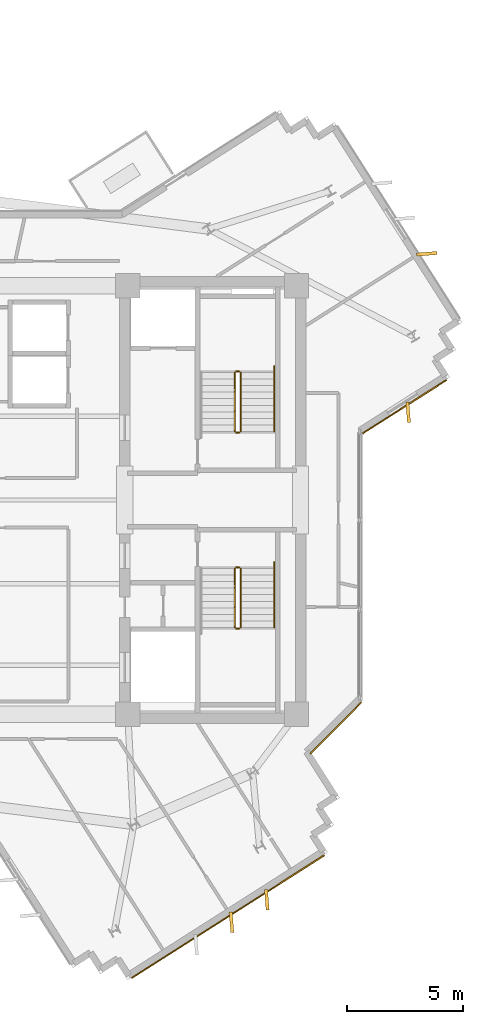
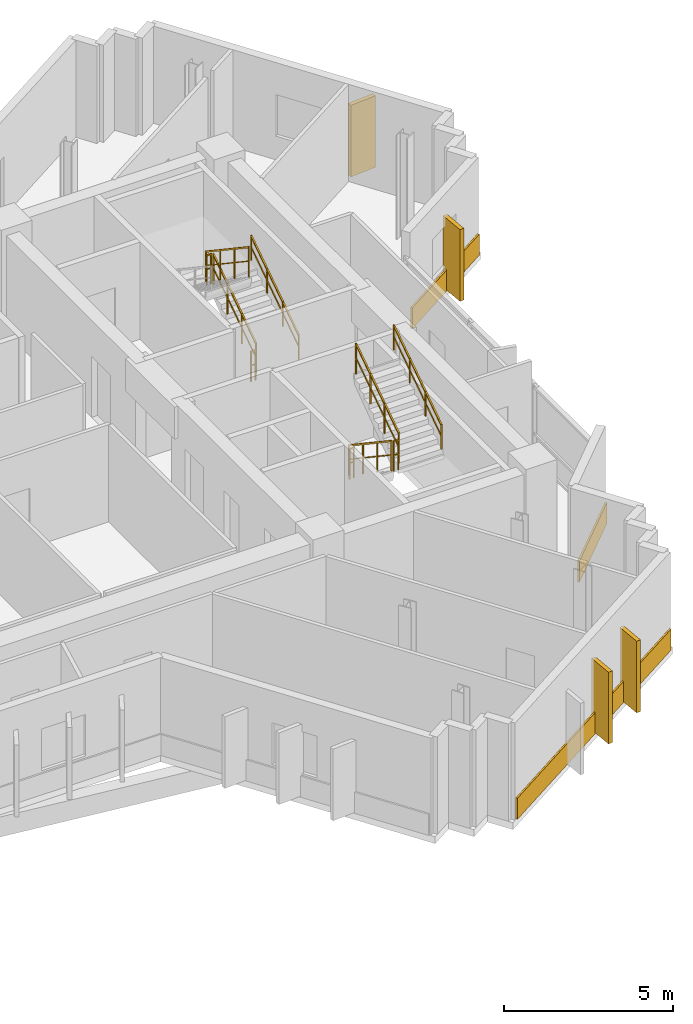
# One storey, part 11 of 12: 10 railings, 7 coverings.
"""IFC4 building model written with IfcOpenShell, lengths in metres."""

from ifc_helpers import new_model, si_unit, direction, frame, origin, origin_2d, place, context, subcontext, project, spatial, rectangle, extrude, source, transform, mapped, material, layer, layer_set, type_object, element, save


model = new_model("IFC4")

# Units and contexts
model_context = context("Model", 3, precision=1e-05, world=origin(), true_north=direction((0.0, 1.0)))
body_context = subcontext(model_context, "Body", "Model", "MODEL_VIEW")
ifc_project = project(units=[si_unit("LENGTHUNIT", "METRE"), si_unit("AREAUNIT", "SQUARE_METRE"), si_unit("VOLUMEUNIT", "CUBIC_METRE"), si_unit("PLANEANGLEUNIT", "RADIAN"), si_unit("MASSUNIT", "GRAM", prefix="KILO")], contexts=[model_context])

# Site, building, storey
site_placement = place(None, origin())
site = spatial("IfcSite", under=ifc_project, at=site_placement, CompositionType="ELEMENT")
building_placement = place(site_placement, origin())
building = spatial("IfcBuilding", under=site, at=building_placement, Name="Zahravan Cultural Tower", CompositionType="ELEMENT")
storey_placement = place(building_placement, frame((0.0, 0.0, 269.10009765625)))
storey = spatial("IfcBuildingStorey", under=building, at=storey_placement, Name="L64", CompositionType="ELEMENT", Elevation=269.10009765625)

# Railings
ifc_material_1 = material(Name="Steel ASTM A572 Grade 50", Category="steel")
railing_type_1 = type_object("IfcRailingType", Name="RL-STAIR-GRD1150", PredefinedType="BALUSTRADE", material=ifc_material_1)
railing_1_placement = place(storey_placement, frame((47.949951171875, 29.949951171875, 0.1875)))
element("IfcRailing", 1, at=railing_1_placement, inside=storey, type_object=railing_type_1, Name="L64 ST-E1 stair guard 1", PredefinedType="BALUSTRADE", context=body_context, shape_type="SweptSolid", body=[
    extrude(rectangle(XDim=0.05, YDim=0.05, at=origin_2d()), frame((0.0, 0.0, 1.0751953125), z_axis=(0.0, 0.830909170722, 0.55640807867), x_axis=(-1.0, 0.0, 0.0)), (0.0, 0.0, 1.0), 3.032958984375),
    extrude(rectangle(XDim=0.032, YDim=0.032, at=origin_2d()), frame((0.0, 0.0, 0.572021484375), z_axis=(0.0, 0.830909170722, 0.55640807867), x_axis=(-1.0, 0.0, 0.0)), (0.0, 0.0, 1.0), 3.032958984375),
    extrude(rectangle(XDim=0.04, YDim=0.04, at=origin_2d()), origin(), (0.0, 0.0, 1.0), 1.10009765625),
    extrude(rectangle(XDim=0.04, YDim=0.04, at=origin_2d()), frame((0.0, 0.840087890625, 0.5625)), (0.0, 0.0, 1.0), 1.10009765625),
    extrude(rectangle(XDim=0.04, YDim=0.04, at=origin_2d()), frame((0.0, 1.679931640625, 1.125)), (0.0, 0.0, 1.0), 1.10009765625),
    extrude(rectangle(XDim=0.04, YDim=0.04, at=origin_2d()), frame((0.0, 2.52001953125, 1.6875)), (0.0, 0.0, 1.0), 1.10009765625),
])
railing_2_placement = place(storey_placement, frame((47.89990234375, 32.52001953125, 1.875)))
element("IfcRailing", 2, at=railing_2_placement, inside=storey, type_object=railing_type_1, Name="L64 ST-E1 stair guard 2", PredefinedType="BALUSTRADE", context=body_context, shape_type="SweptSolid", body=[
    extrude(rectangle(XDim=0.05, YDim=0.05, at=origin_2d()), frame((0.0, 0.0, 1.0751953125), z_axis=(-1.0, 0.0, 0.0), x_axis=(0.0, -1.0, 0.0)), (0.0, 0.0, 1.0), 0.14990234375),
    extrude(rectangle(XDim=0.032, YDim=0.032, at=origin_2d()), frame((0.0, 0.0, 0.572021484375), z_axis=(-1.0, 0.0, 0.0), x_axis=(0.0, -1.0, 0.0)), (0.0, 0.0, 1.0), 0.14990234375),
    extrude(rectangle(XDim=0.04, YDim=0.04, at=origin_2d()), origin(), (0.0, 0.0, 1.0), 1.10009765625),
    extrude(rectangle(XDim=0.04, YDim=0.04, at=origin_2d()), frame((-0.14990234375, 0.0, 0.0)), (0.0, 0.0, 1.0), 1.10009765625),
])
railing_3_placement = place(storey_placement, frame((47.699951171875, 32.469970703125, 2.0625)))
element("IfcRailing", 3, at=railing_3_placement, inside=storey, type_object=railing_type_1, Name="L64 ST-E1 stair guard 3", PredefinedType="BALUSTRADE", context=body_context, shape_type="SweptSolid", body=[
    extrude(rectangle(XDim=0.05, YDim=0.05, at=origin_2d()), frame((0.0, 0.0, 1.0751953125), z_axis=(0.0, -0.830909170722, 0.55640807867), x_axis=(1.0, 0.0, 0.0)), (0.0, 0.0, 1.0), 3.032958984375),
    extrude(rectangle(XDim=0.032, YDim=0.032, at=origin_2d()), frame((0.0, 0.0, 0.572021484375), z_axis=(0.0, -0.830909170722, 0.55640807867), x_axis=(1.0, 0.0, 0.0)), (0.0, 0.0, 1.0), 3.032958984375),
    extrude(rectangle(XDim=0.04, YDim=0.04, at=origin_2d()), origin(), (0.0, 0.0, 1.0), 1.10009765625),
    extrude(rectangle(XDim=0.04, YDim=0.04, at=origin_2d()), frame((0.0, -0.840087890625, 0.5625)), (0.0, 0.0, 1.0), 1.10009765625),
    extrude(rectangle(XDim=0.04, YDim=0.04, at=origin_2d()), frame((0.0, -1.679931640625, 1.125)), (0.0, 0.0, 1.0), 1.10009765625),
    extrude(rectangle(XDim=0.04, YDim=0.04, at=origin_2d()), frame((0.0, -2.52001953125, 1.6875)), (0.0, 0.0, 1.0), 1.10009765625),
])
railing_4_placement = place(storey_placement, frame((47.89990234375, 29.89990234375, 0.0)))
element("IfcRailing", 4, at=railing_4_placement, inside=storey, type_object=railing_type_1, Name="L64 ST-E1 stair guard 4", PredefinedType="BALUSTRADE", context=body_context, shape_type="SweptSolid", body=[
    extrude(rectangle(XDim=0.05, YDim=0.05, at=origin_2d()), frame((0.0, 0.0, 1.0751953125), z_axis=(-1.0, 0.0, 0.0), x_axis=(0.0, -1.0, 0.0)), (0.0, 0.0, 1.0), 0.14990234375),
    extrude(rectangle(XDim=0.032, YDim=0.032, at=origin_2d()), frame((0.0, 0.0, 0.572021484375), z_axis=(-1.0, 0.0, 0.0), x_axis=(0.0, -1.0, 0.0)), (0.0, 0.0, 1.0), 0.14990234375),
    extrude(rectangle(XDim=0.04, YDim=0.04, at=origin_2d()), origin(), (0.0, 0.0, 1.0), 1.10009765625),
    extrude(rectangle(XDim=0.04, YDim=0.04, at=origin_2d()), frame((-0.14990234375, 0.0, 0.0)), (0.0, 0.0, 1.0), 1.10009765625),
])
railing_5_placement = place(storey_placement, frame((47.699951171875, 24.050048828125, 0.1875)))
element("IfcRailing", 5, at=railing_5_placement, inside=storey, type_object=railing_type_1, Name="L64 ST-E2 stair guard 1", PredefinedType="BALUSTRADE", context=body_context, shape_type="SweptSolid", body=[
    extrude(rectangle(XDim=0.05, YDim=0.05, at=origin_2d()), frame((0.0, 0.0, 1.0751953125), z_axis=(0.0, -0.830909170722, 0.55640807867), x_axis=(1.0, 0.0, 0.0)), (0.0, 0.0, 1.0), 3.032958984375),
    extrude(rectangle(XDim=0.032, YDim=0.032, at=origin_2d()), frame((0.0, 0.0, 0.572021484375), z_axis=(0.0, -0.830909170722, 0.55640807867), x_axis=(1.0, 0.0, 0.0)), (0.0, 0.0, 1.0), 3.032958984375),
    extrude(rectangle(XDim=0.04, YDim=0.04, at=origin_2d()), origin(), (0.0, 0.0, 1.0), 1.10009765625),
    extrude(rectangle(XDim=0.04, YDim=0.04, at=origin_2d()), frame((0.0, -0.840087890625, 0.5625)), (0.0, 0.0, 1.0), 1.10009765625),
    extrude(rectangle(XDim=0.04, YDim=0.04, at=origin_2d()), frame((0.0, -1.679931640625, 1.125)), (0.0, 0.0, 1.0), 1.10009765625),
    extrude(rectangle(XDim=0.04, YDim=0.04, at=origin_2d()), frame((0.0, -2.52001953125, 1.6875)), (0.0, 0.0, 1.0), 1.10009765625),
])
railing_6_placement = place(storey_placement, frame((47.75, 21.47998046875, 1.875)))
element("IfcRailing", 6, at=railing_6_placement, inside=storey, type_object=railing_type_1, Name="L64 ST-E2 stair guard 2", PredefinedType="BALUSTRADE", context=body_context, shape_type="SweptSolid", body=[
    extrude(rectangle(XDim=0.05, YDim=0.05, at=origin_2d()), frame((0.0, 0.0, 1.0751953125), z_axis=(1.0, 0.0, 0.0), x_axis=(0.0, 1.0, 0.0)), (0.0, 0.0, 1.0), 0.14990234375),
    extrude(rectangle(XDim=0.032, YDim=0.032, at=origin_2d()), frame((0.0, 0.0, 0.572021484375), z_axis=(1.0, 0.0, 0.0), x_axis=(0.0, 1.0, 0.0)), (0.0, 0.0, 1.0), 0.14990234375),
    extrude(rectangle(XDim=0.04, YDim=0.04, at=origin_2d()), origin(), (0.0, 0.0, 1.0), 1.10009765625),
    extrude(rectangle(XDim=0.04, YDim=0.04, at=origin_2d()), frame((0.14990234375, 0.0, 0.0)), (0.0, 0.0, 1.0), 1.10009765625),
])
railing_7_placement = place(storey_placement, frame((47.949951171875, 21.530029296875, 2.0625)))
element("IfcRailing", 7, at=railing_7_placement, inside=storey, type_object=railing_type_1, Name="L64 ST-E2 stair guard 3", PredefinedType="BALUSTRADE", context=body_context, shape_type="SweptSolid", body=[
    extrude(rectangle(XDim=0.05, YDim=0.05, at=origin_2d()), frame((0.0, 0.0, 1.0751953125), z_axis=(0.0, 0.830909170722, 0.55640807867), x_axis=(-1.0, 0.0, 0.0)), (0.0, 0.0, 1.0), 3.032958984375),
    extrude(rectangle(XDim=0.032, YDim=0.032, at=origin_2d()), frame((0.0, 0.0, 0.572021484375), z_axis=(0.0, 0.830909170722, 0.55640807867), x_axis=(-1.0, 0.0, 0.0)), (0.0, 0.0, 1.0), 3.032958984375),
    extrude(rectangle(XDim=0.04, YDim=0.04, at=origin_2d()), origin(), (0.0, 0.0, 1.0), 1.10009765625),
    extrude(rectangle(XDim=0.04, YDim=0.04, at=origin_2d()), frame((0.0, 0.840087890625, 0.5625)), (0.0, 0.0, 1.0), 1.10009765625),
    extrude(rectangle(XDim=0.04, YDim=0.04, at=origin_2d()), frame((0.0, 1.679931640625, 1.125)), (0.0, 0.0, 1.0), 1.10009765625),
    extrude(rectangle(XDim=0.04, YDim=0.04, at=origin_2d()), frame((0.0, 2.52001953125, 1.6875)), (0.0, 0.0, 1.0), 1.10009765625),
])
railing_8_placement = place(storey_placement, frame((47.75, 24.10009765625, 0.0)))
element("IfcRailing", 8, at=railing_8_placement, inside=storey, type_object=railing_type_1, Name="L64 ST-E2 stair guard 4", PredefinedType="BALUSTRADE", context=body_context, shape_type="SweptSolid", body=[
    extrude(rectangle(XDim=0.05, YDim=0.05, at=origin_2d()), frame((0.0, 0.0, 1.0751953125), z_axis=(1.0, 0.0, 0.0), x_axis=(0.0, 1.0, 0.0)), (0.0, 0.0, 1.0), 0.14990234375),
    extrude(rectangle(XDim=0.032, YDim=0.032, at=origin_2d()), frame((0.0, 0.0, 0.572021484375), z_axis=(1.0, 0.0, 0.0), x_axis=(0.0, 1.0, 0.0)), (0.0, 0.0, 1.0), 0.14990234375),
    extrude(rectangle(XDim=0.04, YDim=0.04, at=origin_2d()), origin(), (0.0, 0.0, 1.0), 1.10009765625),
    extrude(rectangle(XDim=0.04, YDim=0.04, at=origin_2d()), frame((0.14990234375, 0.0, 0.0)), (0.0, 0.0, 1.0), 1.10009765625),
])
railing_type_2 = type_object("IfcRailingType", Name="RL-STAIR-HR900", PredefinedType="HANDRAIL", material=ifc_material_1)
for number, where, name in (
    (9, (49.39990234375, 29.949951171875, 0.1875), "L64 ST-E1 stair handrail 1"),
    (10, (49.39990234375, 21.530029296875, 2.0625), "L64 ST-E2 stair handrail 2"),
):
    element("IfcRailing", number, at=place(storey_placement, frame(where)), inside=storey, type_object=railing_type_2, Name=name, PredefinedType="HANDRAIL", context=body_context, shape_type="SweptSolid", body=[
        extrude(rectangle(XDim=0.05, YDim=0.05, at=origin_2d()), frame((0.0, 0.0, 0.875), z_axis=(0.0, 0.830911662861, 0.55640435703), x_axis=(-1.0, 0.0, 0.0)), (0.0, 0.0, 1.0), 3.369873046875),
        extrude(rectangle(XDim=0.032, YDim=0.032, at=origin_2d()), frame((0.0, 0.0, 0.468017578125), z_axis=(0.0, 0.830911662861, 0.55640435703), x_axis=(-1.0, 0.0, 0.0)), (0.0, 0.0, 1.0), 3.369873046875),
        extrude(rectangle(XDim=0.04, YDim=0.04, at=origin_2d()), origin(), (0.0, 0.0, 1.0), 0.89990234375),
        extrude(rectangle(XDim=0.04, YDim=0.04, at=origin_2d()), frame((0.0, 0.933349609375, 0.625)), (0.0, 0.0, 1.0), 0.89990234375),
        extrude(rectangle(XDim=0.04, YDim=0.04, at=origin_2d()), frame((0.0, 1.86669921875, 1.25)), (0.0, 0.0, 1.0), 0.89990234375),
        extrude(rectangle(XDim=0.04, YDim=0.04, at=origin_2d()), frame((0.0, 2.800048828125, 1.875)), (0.0, 0.0, 1.0), 0.89990234375),
    ])

# Coverings
ifc_material_2 = material(Name="Terracotta ceramic cladding", Category="masonry")
ifc_layer = layer(ifc_material_2, 0.06005859375)
ifc_layer_set = layer_set([ifc_layer], Name="Terracotta ceramic cladding")
covering_type = type_object("IfcCoveringType", Name="COV-CLAD-TC60", PredefinedType="CLADDING", material=ifc_layer_set)
shared_shape_1 = source(origin(), body_context, "Body", "SweptSolid", [
    extrude(rectangle(XDim=9.81982421875, YDim=0.06005859375, at=origin_2d()), origin(), (0.0, 0.0, 1.0), 0.760009765625),
])
covering_1_placement = place(storey_placement, frame((47.404296875, 9.09912109375, 0.02001953125), z_axis=(0.0, 0.0, 1.0), x_axis=(-0.843391445813, -0.537299608347, 0.0)))
element("IfcCovering", 11, at=covering_1_placement, inside=storey, type_object=covering_type, Name="L64 Terracotta Spandrel Cladding 18", PredefinedType="CLADDING", context=body_context, shape_type="MappedRepresentation", body=[
    mapped(shared_shape_1, transform((0.0, 0.0, 0.0), x_axis=(1.0, 0.0, 0.0), y_axis=(0.0, 1.0, 0.0), z_axis=(0.0, 0.0, 1.0), scale=1.0)),
])
shared_shape_2 = source(origin(), body_context, "Body", "SweptSolid", [
    extrude(rectangle(XDim=0.8798828125, YDim=0.139892578125, at=origin_2d()), origin(), (0.0, 0.0, 1.0), 2.580078125),
])
for number, where, z_axis, x_axis, name in (
    (12, (55.951904296875, 37.576416015625, 0.0498046875), (0.0, 0.0, 1.0), (0.996917333733, 0.078459095728, 0.0), "L64 Herringbone Terracotta Fin 03"),
    (13, (55.146728515625, 30.767578125, 0.0498046875), (0.0, 0.0, 1.0), (0.078476495206, -0.996915964212, 0.0), "L64 Herringbone Terracotta Fin 04"),
    (14, (49.075439453125, 9.82568359375, 0.0498046875), (0.0, 0.0, 1.0), (0.078459095728, -0.996917333733, 0.0), "L64 Herringbone Terracotta Fin 05"),
    (15, (47.557373046875, 8.858642578125, 0.0498046875), (0.0, 0.0, 1.0), (0.078459095728, -0.996917333733, 0.0), "L64 Herringbone Terracotta Fin 06"),
):
    element("IfcCovering", number, at=place(storey_placement, frame(where, z_axis=z_axis, x_axis=x_axis)), inside=storey, type_object=covering_type, Name=name, PredefinedType="CLADDING", context=body_context, shape_type="MappedRepresentation", body=[
        mapped(shared_shape_2, transform((0.0, 0.0, 0.0), x_axis=(1.0, 0.0, 0.0), y_axis=(0.0, 1.0, 0.0), z_axis=(0.0, 0.0, 1.0), scale=1.0)),
    ])
shared_shape_3 = source(origin(), body_context, "Body", "SweptSolid", [
    extrude(rectangle(XDim=4.275146484375, YDim=0.06005859375, at=origin_2d()), origin(), (0.0, 0.0, 1.0), 0.760009765625),
])
covering_2_placement = place(storey_placement, frame((54.99365234375, 31.0078125, 0.02001953125), z_axis=(0.0, 0.0, 1.0), x_axis=(-0.843382068037, -0.537314328223, 0.0)))
element("IfcCovering", 16, at=covering_2_placement, inside=storey, type_object=covering_type, Name="L64 Terracotta Spandrel Cladding 11", PredefinedType="CLADDING", context=body_context, shape_type="MappedRepresentation", body=[
    mapped(shared_shape_3, transform((0.0, 0.0, 0.0), x_axis=(1.0, 0.0, 0.0), y_axis=(0.0, 1.0, 0.0), z_axis=(0.0, 0.0, 1.0), scale=1.0)),
])
shared_shape_4 = source(origin(), body_context, "Body", "SweptSolid", [
    extrude(rectangle(XDim=3.114990234375, YDim=0.06005859375, at=origin_2d()), origin(), (0.0, 0.0, 1.0), 0.760009765625),
])
covering_3_placement = place(storey_placement, frame((52.0400390625, 17.20458984375, 0.02001953125), z_axis=(0.0, 0.0, 1.0), x_axis=(-0.707094439737, -0.70711912242, 0.0)))
element("IfcCovering", 17, at=covering_3_placement, inside=storey, type_object=covering_type, Name="L64 Terracotta Spandrel Cladding 12", PredefinedType="CLADDING", context=body_context, shape_type="MappedRepresentation", body=[
    mapped(shared_shape_4, transform((0.0, 0.0, 0.0), x_axis=(1.0, 0.0, 0.0), y_axis=(0.0, 1.0, 0.0), z_axis=(0.0, 0.0, 1.0), scale=1.0)),
])

save(model, "model.ifc")
